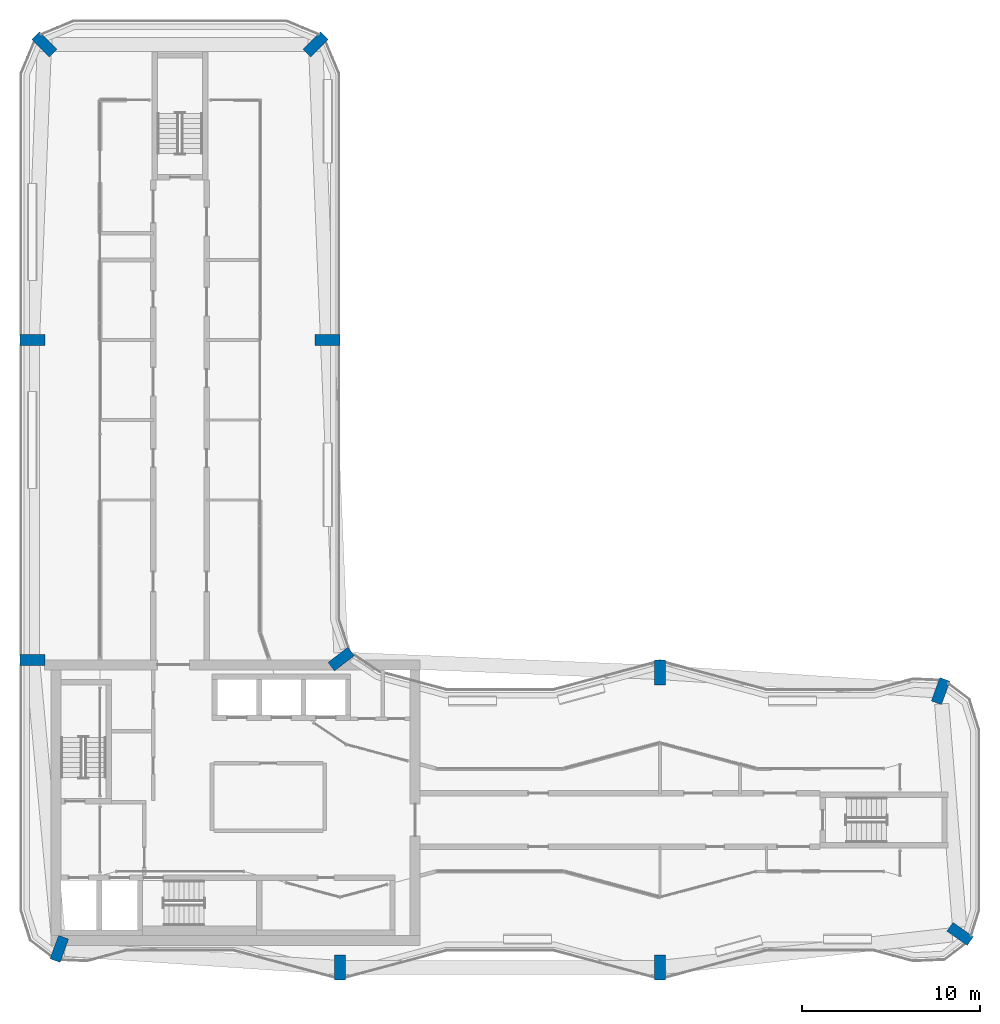
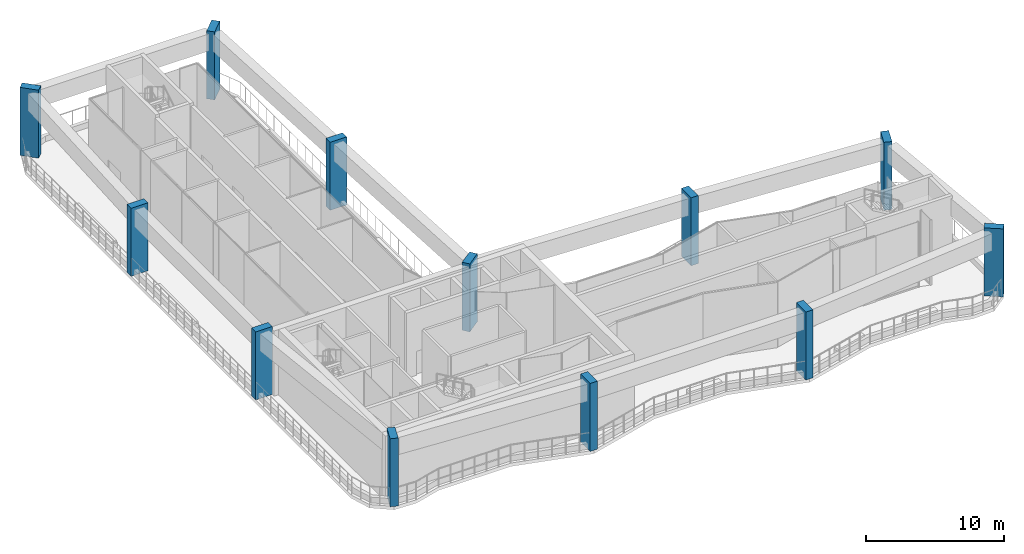
# One storey, part 1 of 17: 12 columns.
"""IFC4 building model written with IfcOpenShell, lengths in metres."""

import ifcopenshell
import ifcopenshell.guid

model = None  # the IFC model being written
_history = None  # IfcOwnerHistory: only IFC2X3 demands one
_inside = {}  # id of a spatial element -> (the spatial element, [elements in it])
_under = {}  # id of a project, library or spatial element -> (it, [spatial elements below it])
_declared = {}  # id of a project -> (the project, [libraries it declares])
_typed = {}  # id of a type object -> (the type object, [elements of that type])
_made_of = {}  # id of a material, layer set ... -> (it, [elements and type objects made of it])


def new_model(schema):
    """Start an empty IFC model of exactly this schema.

    Asked for "IFC4X3", IfcOpenShell would pick the latest addendum, in which some entities
    have other attributes; the version numbers below select the first issue.
    IFC2X3 requires an IfcOwnerHistory on every rooted entity: one is made here for all.
    """
    global model, _history
    if schema == "IFC4X3":
        model = ifcopenshell.file(schema_version=(4, 3, 0, 0))
    else:
        model = ifcopenshell.file(schema=schema)
    _inside.clear()
    _under.clear()
    _declared.clear()
    _typed.clear()
    _made_of.clear()
    _history = None
    if model.schema == "IFC2X3":
        org = make("IfcOrganization", Name="unknown")
        user = make(
            "IfcPersonAndOrganization",
            ThePerson=make("IfcPerson", FamilyName="unknown"),
            TheOrganization=org,
        )
        app = make(
            "IfcApplication",
            ApplicationDeveloper=org,
            Version="unknown",
            ApplicationFullName="unknown",
            ApplicationIdentifier="unknown",
        )
        _history = make(
            "IfcOwnerHistory",
            OwningUser=user,
            OwningApplication=app,
            ChangeAction="ADDED",
            CreationDate=0,
        )
    return model


def make(cls, **values):
    """One entity of the class cls with the attributes given. An attribute that is None is left unset."""
    return model.create_entity(
        cls, **{name: value for name, value in values.items() if value is not None}
    )


def rooted(cls, **values):
    """An entity with a GlobalId (a new one), such as an element, a storey or a relation."""
    return make(cls, GlobalId=ifcopenshell.guid.new(), OwnerHistory=_history, **values)


def si_unit(unit_type, name, prefix=None):
    """IfcSIUnit, for example si_unit("LENGTHUNIT", "METRE", prefix="MILLI")."""
    return make("IfcSIUnit", UnitType=unit_type, Prefix=prefix, Name=name)


def assignment(units):
    """IfcUnitAssignment: the units of a project."""
    return None if units is None else make("IfcUnitAssignment", Units=units)


def point(xyz):
    """IfcCartesianPoint."""
    return None if xyz is None else make("IfcCartesianPoint", Coordinates=xyz)


def direction(xyz):
    """IfcDirection."""
    return None if xyz is None else make("IfcDirection", DirectionRatios=xyz)


def frame(location, z_axis=None, x_axis=None):
    """IfcAxis2Placement3D, a coordinate frame: its origin and axes. An axis left out is left unset."""
    return make(
        "IfcAxis2Placement3D",
        Location=point(location),
        Axis=direction(z_axis),
        RefDirection=direction(x_axis),
    )


def frame_2d(location, x_axis=None):
    """IfcAxis2Placement2D, a coordinate frame in the plane: its origin and x axis."""
    return make(
        "IfcAxis2Placement2D", Location=point(location), RefDirection=direction(x_axis)
    )


def origin():
    """The frame at (0, 0, 0) with its axes left unset."""
    return frame((0.0, 0.0, 0.0))


def origin_2d():
    """The frame at (0, 0) in the plane with its x axis left unset."""
    return frame_2d((0.0, 0.0))


def place(relative_to, where):
    """IfcLocalPlacement: puts the frame where relative to a parent placement (None: the world)."""
    return make(
        "IfcLocalPlacement", PlacementRelTo=relative_to, RelativePlacement=where
    )


def context(
    kind, dimensions, precision=None, world=None, true_north=None, identifier=None
):
    """IfcGeometricRepresentationContext, for example the 3D "Model" context."""
    return make(
        "IfcGeometricRepresentationContext",
        ContextIdentifier=identifier,
        ContextType=kind,
        CoordinateSpaceDimension=dimensions,
        Precision=precision,
        WorldCoordinateSystem=world,
        TrueNorth=true_north,
    )


def subcontext(parent, identifier, kind, view, scale=None):
    """IfcGeometricRepresentationSubContext, for example "Body" below "Model"."""
    return make(
        "IfcGeometricRepresentationSubContext",
        ContextIdentifier=identifier,
        ContextType=kind,
        ParentContext=parent,
        TargetScale=scale,
        TargetView=view,
    )


def project(units=None, contexts=None):
    """IfcProject with its units and contexts."""
    return rooted(
        "IfcProject",
        Name="project",
        RepresentationContexts=contexts,
        UnitsInContext=assignment(units),
    )


def spatial(cls, under=None, at=None, **own):
    """A site, building, storey or space (cls), placed at a placement, below another one or the project."""
    s = rooted(cls, ObjectPlacement=at, **own)
    if under is not None:
        _under.setdefault(under.id(), (under, []))[1].append(s)
    return s


def profile(cls, at=None, kind="AREA", **sizes):
    """A parametric profile (cls). Its sizes go by their IFC names, for example OverallWidth=200.0."""
    return make(cls, ProfileType=kind, Position=at, **sizes)


def rectangle(**sizes):
    """IfcRectangleProfileDef."""
    return profile("IfcRectangleProfileDef", **sizes)


def extrude(swept, where, along, depth):
    """IfcExtrudedAreaSolid: the profile swept, set in the frame where, extruded along a direction by depth."""
    return make(
        "IfcExtrudedAreaSolid",
        SweptArea=swept,
        Position=where,
        ExtrudedDirection=direction(along),
        Depth=depth,
    )


def shape(context_of_items, identifier, shape_type, items):
    """IfcShapeRepresentation: the items that make up one representation, for example the "Body"."""
    return make(
        "IfcShapeRepresentation",
        ContextOfItems=context_of_items,
        RepresentationIdentifier=identifier,
        RepresentationType=shape_type,
        Items=items,
    )


def material(Name=None, Category=None):
    """IfcMaterial."""
    return make("IfcMaterial", Name=Name, Category=Category)


def material_profile(
    of_material, cross_section, Name=None, Category=None, Priority=None
):
    """IfcMaterialProfile: a cross section and its material."""
    return make(
        "IfcMaterialProfile",
        Name=Name,
        Material=of_material,
        Profile=cross_section,
        Priority=Priority,
        Category=Category,
    )


def profile_set(profiles, Name=None, composite=None):
    """IfcMaterialProfileSet."""
    return make(
        "IfcMaterialProfileSet",
        Name=Name,
        MaterialProfiles=profiles,
        CompositeProfile=composite,
    )


def made_of(thing, what):
    """Note that an element or type object is made of a material, layer set ...; save() writes the relation."""
    if what is not None:
        _made_of.setdefault(what.id(), (what, []))[1].append(thing)
    return thing


def type_object(cls, material=None, **own):
    """A type object (cls), such as IfcWallType, which elements share."""
    return made_of(rooted(cls, **own), material)


def element(
    cls,
    number,
    at=None,
    inside=None,
    cuts=None,
    type_object=None,
    material=None,
    context=None,
    identifier="Body",
    shape_type=None,
    held_by="IfcProductDefinitionShape",
    body=None,
    shapes=None,
    **own,
):
    """One element of the class cls, such as IfcWall. Its Tag is "e" and its number.

    at: its placement. inside: the storey or other place that contains it. cuts: it is an
    opening in that element (IfcRelVoidsElement). A single representation is given by context,
    identifier, shape_type and body (its items); several are given by shapes. held_by: the class
    of the entity that holds the representations. save() writes the other relations.
    """
    e = rooted(cls, Tag="e%d" % number, ObjectPlacement=at, **own)
    if body is not None:
        shapes = [shape(context, identifier, shape_type, body)]
    if shapes is not None:
        e.Representation = make(held_by, Representations=shapes)
    if inside is not None:
        _inside.setdefault(inside.id(), (inside, []))[1].append(e)
    if cuts is not None:
        rooted(
            "IfcRelVoidsElement", RelatingBuildingElement=cuts, RelatedOpeningElement=e
        )
    if type_object is not None:
        _typed.setdefault(type_object.id(), (type_object, []))[1].append(e)
    return made_of(e, material)


def aggregate(whole, parts):
    """IfcRelAggregates: a whole, such as a stair, and the parts it consists of."""
    return rooted("IfcRelAggregates", RelatingObject=whole, RelatedObjects=parts)


def save(model, path):
    """Write the relations noted so far, then the file.

    IfcRelAggregates (storeys below a building ...), IfcRelContainedInSpatialStructure (elements
    in a storey), IfcRelDefinesByType, IfcRelAssociatesMaterial and IfcRelDeclares: one each for
    every whole, place, type object, material and project.
    """
    for whole, parts in _under.values():
        aggregate(whole, parts)
    for where, things in _inside.values():
        rooted(
            "IfcRelContainedInSpatialStructure",
            RelatedElements=things,
            RelatingStructure=where,
        )
    for kind, things in _typed.values():
        rooted("IfcRelDefinesByType", RelatedObjects=things, RelatingType=kind)
    for what, things in _made_of.values():
        rooted("IfcRelAssociatesMaterial", RelatedObjects=things, RelatingMaterial=what)
    for by, libraries in _declared.values():
        rooted("IfcRelDeclares", RelatingContext=by, RelatedDefinitions=libraries)
    model.write(path)


model = new_model("IFC4")

# Units and contexts
model_context = context("Model", 3, precision=1e-05, world=origin(), true_north=direction((0.0, 1.0)))
body_context = subcontext(model_context, "Body", "Model", "MODEL_VIEW")
ifc_project = project(units=[si_unit("LENGTHUNIT", "METRE"), si_unit("AREAUNIT", "SQUARE_METRE"), si_unit("VOLUMEUNIT", "CUBIC_METRE"), si_unit("PLANEANGLEUNIT", "RADIAN"), si_unit("MASSUNIT", "GRAM", prefix="KILO")], contexts=[model_context])

# Site, building, storey
site_placement = place(None, origin())
site = spatial("IfcSite", under=ifc_project, at=site_placement, CompositionType="ELEMENT")
building_placement = place(site_placement, origin())
building = spatial("IfcBuilding", under=site, at=building_placement, Name="Plateau Cross Towers", CompositionType="ELEMENT")
storey_placement = place(building_placement, frame((0.0, 0.0, 184.89990234375)))
storey = spatial("IfcBuildingStorey", under=building, at=storey_placement, Name="L48", CompositionType="ELEMENT", Elevation=184.89990234375)

# Columns
ifc_material = material(Name="Concrete C60/75", Category="concrete")
ifc_material_profile = material_profile(ifc_material, rectangle(XDim=0.60009765625, YDim=1.39990234375, at=origin_2d()), Name="RC 600x1400")
ifc_profile_set = profile_set([ifc_material_profile], Name="Concrete C60/75")
column_type = type_object("IfcColumnType", Name="Fin pier column RC 600x1400", PredefinedType="COLUMN", material=ifc_profile_set)
for number, where, z_axis, x_axis, name in (
    (1, (18.0, 0.699951171875, 0.0), (0.0, 0.0, 1.0), (1.0, 0.0, 0.0), "PR1 L48"),
    (2, (36.0, 0.699951171875, 0.0), (0.0, 0.0, 1.0), (1.0, 0.0, 0.0), "PR2 L48"),
    (3, (52.884033203125, 2.590087890625, 0.0), (0.0, 0.0, 1.0), (0.573542637991, 0.819175709117, 0.0), "PR3 L48"),
    (4, (51.786865234375, 16.251953125, 0.0), (0.0, 0.0, 1.0), (-0.939664280925, 0.342097996418, 0.0), "PR4 L48"),
    (5, (36.0, 17.300048828125, 0.0), (0.0, 0.0, 1.0), (1.0, 0.0, 0.0), "PR5 L48"),
    (6, (18.064697265625, 18.049560546875, 0.0), (0.0, 0.0, 1.0), (-0.608810846443, 0.793315418515, 0.0), "PR6 L48"),
    (7, (17.300048828125, 36.0, 0.0), (0.0, 0.0, 1.0), (0.0, 1.0, 0.0), "PR7 L48"),
    (8, (16.62646484375, 52.62646484375, 0.0), (0.0, 0.0, 1.0), (-0.707106781187, 0.707106781187, 0.0), "PR8 L48"),
    (9, (1.37353515625, 52.62646484375, 0.0), (0.0, 0.0, 1.0), (0.707106781187, 0.707106781187, 0.0), "PR9 L48"),
    (10, (0.699951171875, 36.0, 0.0), (0.0, 0.0, 1.0), (0.0, 1.0, 0.0), "PR10 L48"),
    (11, (0.699951171875, 18.0, 0.0), (0.0, 0.0, 1.0), (0.0, 1.0, 0.0), "PR11 L48"),
    (12, (2.213134765625, 1.748046875, 0.0), (0.0, 0.0, 1.0), (-0.939664280925, 0.342097996418, 0.0), "PR12 L48"),
):
    element("IfcColumn", number, at=place(storey_placement, frame(where, z_axis=z_axis, x_axis=x_axis)), inside=storey, type_object=column_type, Name=name, PredefinedType="COLUMN", context=body_context, shape_type="SweptSolid", body=[
        extrude(rectangle(XDim=0.60009765625, YDim=1.39990234375, at=origin_2d()), origin(), (0.0, 0.0, 1.0), 6.0),
    ])

save(model, "model.ifc")
